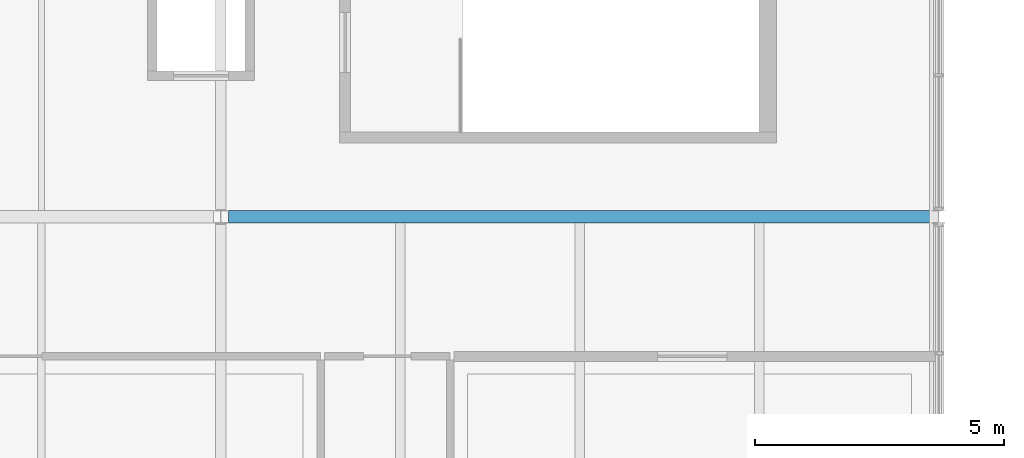
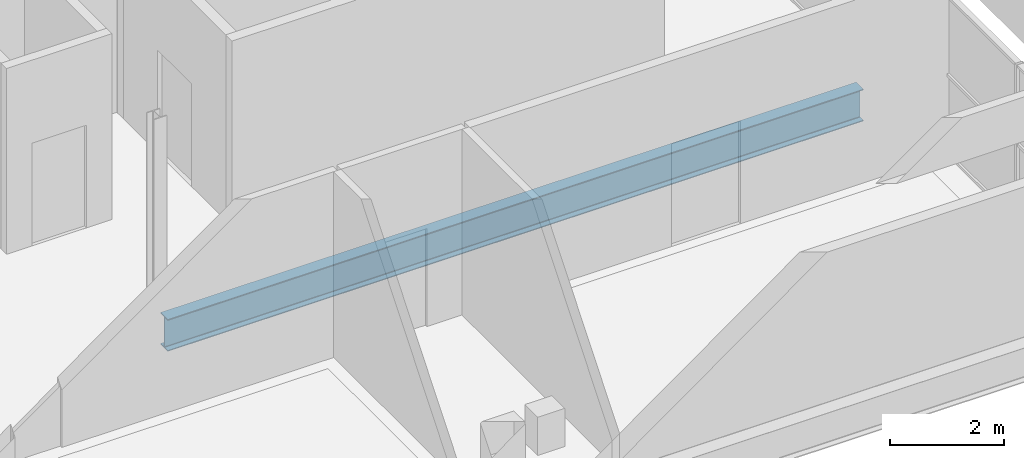
# One storey, part 26 of 43: 1 beam.
"""IFC4 building model written with IfcOpenShell, lengths in metres."""

from ifc_helpers import new_model, si_unit, direction, frame, origin, origin_2d, place, context, subcontext, project, spatial, i_section, extrude, material, material_profile, profile_set, type_object, element, save


model = new_model("IFC4")

# Units and contexts
model_context = context("Model", 3, precision=1e-05, world=origin(), true_north=direction((0.0, 1.0)))
body_context = subcontext(model_context, "Body", "Model", "MODEL_VIEW")
ifc_project = project(units=[si_unit("LENGTHUNIT", "METRE"), si_unit("AREAUNIT", "SQUARE_METRE"), si_unit("VOLUMEUNIT", "CUBIC_METRE"), si_unit("PLANEANGLEUNIT", "RADIAN"), si_unit("MASSUNIT", "GRAM", prefix="KILO"), si_unit("THERMODYNAMICTEMPERATUREUNIT", "KELVIN")], contexts=[model_context])

# Site, building, storey
site_placement = place(None, origin())
site = spatial("IfcSite", under=ifc_project, at=site_placement, CompositionType="ELEMENT")
building_placement = place(site_placement, origin())
building = spatial("IfcBuilding", under=site, at=building_placement, Name="Nduvali Passage Aquatics Centre", CompositionType="ELEMENT")
storey_placement = place(building_placement, frame((0.0, 0.0, 17.39990234375)))
storey = spatial("IfcBuildingStorey", under=building, at=storey_placement, Name="L04", CompositionType="ELEMENT", Elevation=17.39990234375)

# Beam
ifc_material = material(Name="Steel S355", Category="steel")
ifc_material_profile = material_profile(ifc_material, i_section(OverallWidth=0.253662109375, OverallDepth=0.68359375, WebThickness=0.012451171875, FlangeThickness=0.01904296875, FilletRadius=0.01513671875, at=origin_2d()), Name="UKB 686x254x140")
ifc_profile_set = profile_set([ifc_material_profile], Name="Steel S355")
beam_type = type_object("IfcBeamType", Name="STR-BM-UKB686", PredefinedType="BEAM", material=ifc_profile_set)
beam_placement = place(storey_placement, frame((111.75, 100.800048828125, -0.57568359375), z_axis=(1.0, 0.0, 0.0), x_axis=(0.0, 1.0, 0.0)))
element("IfcBeam", 1, at=beam_placement, inside=storey, type_object=beam_type, Name="L04 Primary X-Girder B4-1342", PredefinedType="BEAM", context=body_context, shape_type="SweptSolid", body=[
    extrude(i_section(OverallWidth=0.253662109375, OverallDepth=0.68359375, WebThickness=0.012451171875, FlangeThickness=0.01904296875, FilletRadius=0.01513671875, at=origin_2d()), origin(), (0.0, 0.0, 1.0), 14.10009765625),
])

save(model, "model.ifc")
